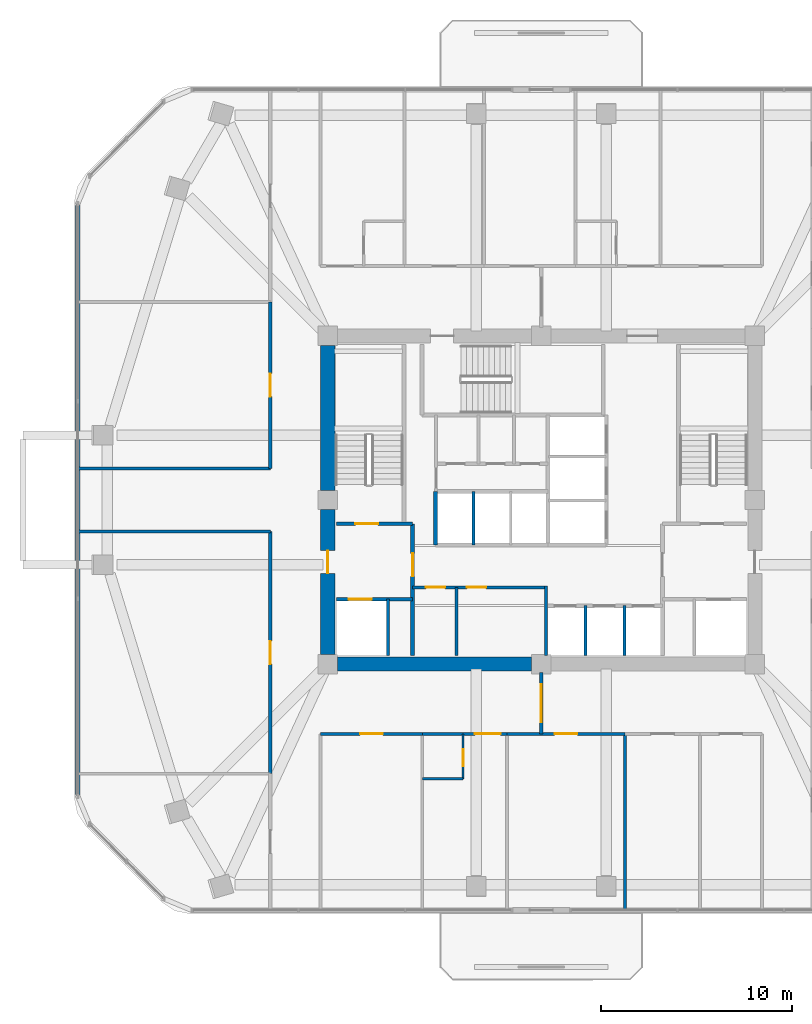
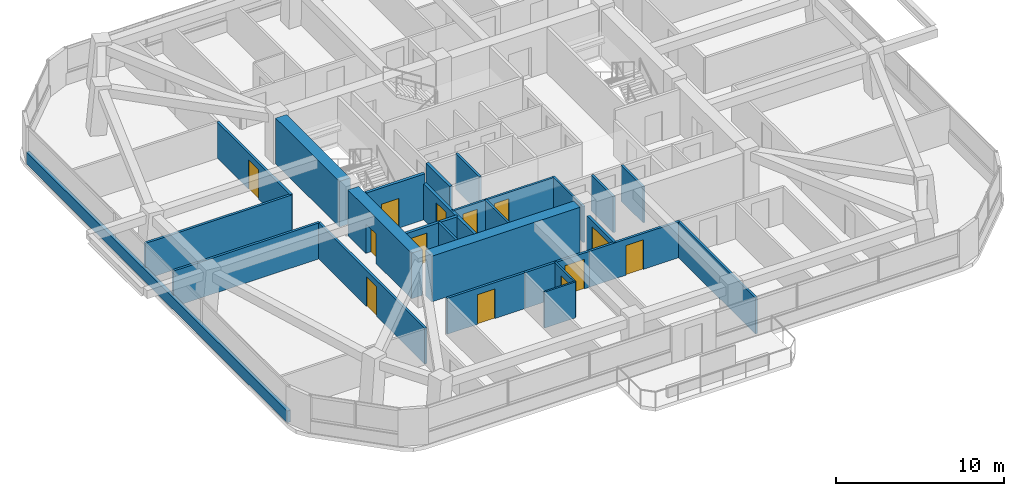
# One storey, part 8 of 13: 26 walls, 13 doors, 13 openings.
"""IFC4 building model written with IfcOpenShell, lengths in metres."""

from ifc_helpers import new_model, si_unit, derived_unit, direction, frame, frame_2d, origin, place, context, subcontext, project, spatial, rectangle, extrude, material, layer, layer_set, type_object, element, fill, save


model = new_model("IFC4")

# Units and contexts
model_context = context("Model", 3, precision=1e-05, world=origin(), true_north=direction((0.0, 1.0)))
body_context = subcontext(model_context, "Body", "Model", "MODEL_VIEW")
ifc_project = project(units=[si_unit("LENGTHUNIT", "METRE"), si_unit("AREAUNIT", "SQUARE_METRE"), si_unit("VOLUMEUNIT", "CUBIC_METRE"), si_unit("PLANEANGLEUNIT", "RADIAN"), si_unit("MASSUNIT", "GRAM", prefix="KILO"), derived_unit("THERMALTRANSMITTANCEUNIT", [(si_unit("POWERUNIT", "WATT"), 1), (si_unit("LENGTHUNIT", "METRE"), -2), (si_unit("THERMODYNAMICTEMPERATUREUNIT", "KELVIN"), -1)])], contexts=[model_context])

# Site, building, storey
site_placement = place(None, origin())
site = spatial("IfcSite", under=ifc_project, at=site_placement, CompositionType="ELEMENT")
building_placement = place(site_placement, origin())
building = spatial("IfcBuilding", under=site, at=building_placement, Name="Koralith Skygarden Medical Center", CompositionType="ELEMENT")
storey_placement = place(building_placement, frame((0.0, 0.0, 117.179931640625)))
storey = spatial("IfcBuildingStorey", under=building, at=storey_placement, Name="L30", CompositionType="ELEMENT", Elevation=117.179931640625)

# Wall, openings, doors
ifc_material_1 = material(Name="Gypsum Board Partition")
ifc_layer_1 = layer(ifc_material_1, 0.14990234375)
ifc_layer_set_1 = layer_set([ifc_layer_1], Name="Gypsum Board Partition")
wall_type_1 = type_object("IfcWallType", Name="Clinical Acoustic Partition 150", PredefinedType="PARTITIONING", material=ifc_layer_set_1)
wall_1_placement = place(storey_placement, frame((30.25, 21.320068359375, 0.0), z_axis=(0.0, 0.0, 1.0), x_axis=(1.0, 0.0, 0.0)))
wall_1 = element("IfcWall", 1, at=wall_1_placement, inside=storey, type_object=wall_type_1, Name="L30 Clinical Acoustic Partition 150 W-CORE-L30-FREED-LR-N", PredefinedType="PARTITIONING", context=body_context, shape_type="SweptSolid", body=[
    extrude(rectangle(XDim=7.0, YDim=0.14990234375, at=frame_2d((3.5, 0.0))), origin(), (0.0, 0.0, 1.0), 2.610107421875),
])
opening_1_placement = place(wall_1_placement, frame((0.699951171875, 0.0, 0.0)))
opening_1 = element("IfcOpeningElement", 2, at=opening_1_placement, cuts=wall_1, Name="Opening D-SUP", PredefinedType="OPENING", context=body_context, shape_type="SweptSolid", body=[
    extrude(rectangle(XDim=1.0, YDim=2.14990234375, at=frame_2d((0.5, 1.074951171875))), frame((0.0, 0.0849609375, 0.0), z_axis=(0.0, -1.0, 0.0), x_axis=(1.0, 0.0, 0.0)), (0.0, 0.0, 1.0), 0.169921875),
])
opening_2_placement = place(wall_1_placement, frame((2.85009765625, 0.0, 0.0)))
opening_2 = element("IfcOpeningElement", 3, at=opening_2_placement, cuts=wall_1, Name="Opening D-SUP", PredefinedType="OPENING", context=body_context, shape_type="SweptSolid", body=[
    extrude(rectangle(XDim=1.0, YDim=2.14990234375, at=frame_2d((0.5, 1.074951171875))), frame((0.0, 0.0849609375, 0.0), z_axis=(0.0, -1.0, 0.0), x_axis=(1.0, 0.0, 0.0)), (0.0, 0.0, 1.0), 0.169921875),
])
ifc_material_2 = material(Name="Aluminium 6063-T6", Category="aluminium")
door_type_1 = type_object("IfcDoorType", Name="Clinical Support Door D-SUP 1000", OperationType="NOTDEFINED", PredefinedType="DOOR", material=ifc_material_2)
door_1_placement = place(opening_1_placement, frame((1.0, 0.0, 0.0), z_axis=(0.0, 0.0, 1.0), x_axis=(-1.0, 0.0, 0.0)))
door_1 = element("IfcDoor", 4, at=door_1_placement, inside=storey, type_object=door_type_1, Name="L30 Medication Preparation Door", OperationType="SINGLE_SWING_LEFT", OverallHeight=2.14990234375, OverallWidth=1.0, PredefinedType="DOOR", context=body_context, shape_type="SweptSolid", body=[
    extrude(rectangle(XDim=1.0, YDim=2.14990234375, at=frame_2d((0.5, 1.074951171875))), frame((0.0, 0.02490234375, 0.0), z_axis=(0.0, -1.0, 0.0), x_axis=(1.0, 0.0, 0.0)), (0.0, 0.0, 1.0), 0.050048828125),
])
fill(opening_1, door_1)
door_2_placement = place(opening_2_placement, frame((1.0, 0.0, 0.0), z_axis=(0.0, 0.0, 1.0), x_axis=(-1.0, 0.0, 0.0)))
door_2 = element("IfcDoor", 5, at=door_2_placement, inside=storey, type_object=door_type_1, Name="L30 Telemetry Room Door", OperationType="SINGLE_SWING_RIGHT", OverallHeight=2.14990234375, OverallWidth=1.0, PredefinedType="DOOR", context=body_context, shape_type="SweptSolid", body=[
    extrude(rectangle(XDim=1.0, YDim=2.14990234375, at=frame_2d((0.5, 1.074951171875))), frame((0.0, 0.02490234375, 0.0), z_axis=(0.0, -1.0, 0.0), x_axis=(1.0, 0.0, 0.0)), (0.0, 0.0, 1.0), 0.050048828125),
])
fill(opening_2, door_2)

# Walls
wall_2_placement = place(storey_placement, frame((32.550048828125, 17.75, 0.0), z_axis=(0.0, 0.0, 1.0), x_axis=(0.0, 1.0, 0.0)))
element("IfcWall", 6, at=wall_2_placement, inside=storey, type_object=wall_type_1, Name="L30 Clinical Acoustic Partition 150 W-CORE-L30-FREED-LR-M", PredefinedType="PARTITIONING", context=body_context, shape_type="SweptSolid", body=[
    extrude(rectangle(XDim=3.570068359375, YDim=0.14990234375, at=frame_2d((1.78515625, 0.0))), origin(), (0.0, 0.0, 1.0), 2.610107421875),
])
wall_3_placement = place(storey_placement, frame((41.39306640625, 13.639892578125, 0.0), z_axis=(0.0, 0.0, 1.0), x_axis=(0.0, -1.0, 0.0)))
element("IfcWall", 7, at=wall_3_placement, inside=storey, type_object=wall_type_1, Name="L30 Clinical Acoustic Partition 150 W-PART-L30-S-03", PredefinedType="PARTITIONING", context=body_context, shape_type="SweptSolid", body=[
    extrude(rectangle(XDim=9.23193359375, YDim=0.14990234375, at=frame_2d((4.615966796875, 0.0))), origin(), (0.0, 0.0, 1.0), 2.610107421875),
])
ifc_layer_2 = layer(ifc_material_1, 0.1650390625)
ifc_layer_set_2 = layer_set([ifc_layer_2], Name="Gypsum Board Partition")
wall_type_2 = type_object("IfcWallType", Name="Clinical Corridor Partition 165", PredefinedType="PARTITIONING", material=ifc_layer_set_2)
for number, where, z_axis, x_axis, name in (
    (8, (12.718017578125, 24.239990234375, 0.0), (0.0, 0.0, 1.0), (1.0, 0.0, 0.0), "L30 Clinical Corridor Partition 165 W-HCOR-L30-EWS-W"),
    (9, (12.718017578125, 27.56005859375, 0.0), (0.0, 0.0, 1.0), (1.0, 0.0, 0.0), "L30 Clinical Corridor Partition 165 W-HCOR-L30-EWN-W"),
):
    element("IfcWall", number, at=place(storey_placement, frame(where, z_axis=z_axis, x_axis=x_axis)), inside=storey, type_object=wall_type_2, Name=name, PredefinedType="PARTITIONING", context=body_context, shape_type="SweptSolid", body=[
        extrude(rectangle(XDim=10.072021484375, YDim=0.1650390625, at=frame_2d((5.0361328125, 0.0))), origin(), (0.0, 0.0, 1.0), 2.610107421875),
    ])

# Wall, opening, door
wall_4_placement = place(storey_placement, frame((25.429931640625, 13.639892578125, 0.0), z_axis=(0.0, 0.0, 1.0), x_axis=(1.0, 0.0, 0.0)))
wall_4 = element("IfcWall", 10, at=wall_4_placement, inside=storey, type_object=wall_type_2, Name="L30 Clinical Corridor Partition 165 W-CORR-L30-S-01", PredefinedType="PARTITIONING", context=body_context, shape_type="SweptSolid", body=[
    extrude(rectangle(XDim=5.328125, YDim=0.1650390625, at=frame_2d((2.6640625, 0.0))), origin(), (0.0, 0.0, 1.0), 2.610107421875),
])
opening_3_placement = place(wall_4_placement, frame((2.06396484375, 0.0, 0.0)))
opening_3 = element("IfcOpeningElement", 11, at=opening_3_placement, cuts=wall_4, Name="Opening D-CLN", PredefinedType="OPENING", context=body_context, shape_type="SweptSolid", body=[
    extrude(rectangle(XDim=1.199951171875, YDim=2.14990234375, at=frame_2d((0.60009765625, 1.074951171875))), frame((0.0, 0.092529296875, 0.0), z_axis=(0.0, -1.0, 0.0), x_axis=(1.0, 0.0, 0.0)), (0.0, 0.0, 1.0), 0.18505859375),
])
door_type_2 = type_object("IfcDoorType", Name="Clinical Corridor Door D-CLN 1200", OperationType="NOTDEFINED", PredefinedType="DOOR", material=ifc_material_2)
door_3_placement = place(opening_3_placement, frame((1.199951171875, 0.0, 0.0), z_axis=(0.0, 0.0, 1.0), x_axis=(-1.0, 0.0, 0.0)))
door_3 = element("IfcDoor", 12, at=door_3_placement, inside=storey, type_object=door_type_2, Name="L30 Exercise Physiologist Office 06 Door", OperationType="SINGLE_SWING_LEFT", OverallHeight=2.14990234375, OverallWidth=1.199951171875, PredefinedType="DOOR", context=body_context, shape_type="SweptSolid", body=[
    extrude(rectangle(XDim=1.199951171875, YDim=2.14990234375, at=frame_2d((0.60009765625, 1.074951171875))), frame((0.0, 0.02490234375, 0.0), z_axis=(0.0, -1.0, 0.0), x_axis=(1.0, 0.0, 0.0)), (0.0, 0.0, 1.0), 0.050048828125),
])
fill(opening_3, door_3)

wall_5_placement = place(storey_placement, frame((30.758056640625, 13.639892578125, 0.0), z_axis=(0.0, 0.0, 1.0), x_axis=(1.0, 0.0, 0.0)))
wall_5 = element("IfcWall", 13, at=wall_5_placement, inside=storey, type_object=wall_type_2, Name="L30 Clinical Corridor Partition 165 W-CORR-L30-S-02", PredefinedType="PARTITIONING", context=body_context, shape_type="SweptSolid", body=[
    extrude(rectangle(XDim=4.44189453125, YDim=0.1650390625, at=frame_2d((2.220947265625, 0.0))), origin(), (0.0, 0.0, 1.0), 2.610107421875),
])
opening_4_placement = place(wall_5_placement, frame((2.751953125, 0.0, 0.0)))
opening_4 = element("IfcOpeningElement", 14, at=opening_4_placement, cuts=wall_5, Name="Opening D-BED", PredefinedType="OPENING", context=body_context, shape_type="SweptSolid", body=[
    extrude(rectangle(XDim=1.35009765625, YDim=2.14990234375, at=frame_2d((0.675048828125, 1.074951171875))), frame((0.0, 0.092529296875, 0.0), z_axis=(0.0, -1.0, 0.0), x_axis=(1.0, 0.0, 0.0)), (0.0, 0.0, 1.0), 0.18505859375),
])
door_type_3 = type_object("IfcDoorType", Name="Inpatient Bed Leaf Door D-BED 1350", OperationType="NOTDEFINED", PredefinedType="DOOR", material=ifc_material_2)
door_4_placement = place(opening_4_placement, frame((1.35009765625, 0.0, 0.0), z_axis=(0.0, 0.0, 1.0), x_axis=(-1.0, 0.0, 0.0)))
door_4 = element("IfcDoor", 15, at=door_4_placement, inside=storey, type_object=door_type_3, Name="L30 Inpatient Bedroom 07 Door", OperationType="SINGLE_SWING_RIGHT", OverallHeight=2.14990234375, OverallWidth=1.35009765625, PredefinedType="DOOR", context=body_context, shape_type="SweptSolid", body=[
    extrude(rectangle(XDim=1.35009765625, YDim=2.14990234375, at=frame_2d((0.675048828125, 1.074951171875))), frame((0.0, 0.02490234375, 0.0), z_axis=(0.0, -1.0, 0.0), x_axis=(1.0, 0.0, 0.0)), (0.0, 0.0, 1.0), 0.050048828125),
])
fill(opening_4, door_4)

wall_6_placement = place(storey_placement, frame((35.199951171875, 13.639892578125, 0.0), z_axis=(0.0, 0.0, 1.0), x_axis=(1.0, 0.0, 0.0)))
wall_6 = element("IfcWall", 16, at=wall_6_placement, inside=storey, type_object=wall_type_2, Name="L30 Clinical Corridor Partition 165 W-CORR-L30-S-03", PredefinedType="PARTITIONING", context=body_context, shape_type="SweptSolid", body=[
    extrude(rectangle(XDim=6.193115234375, YDim=0.1650390625, at=frame_2d((3.0966796875, 0.0))), origin(), (0.0, 0.0, 1.0), 2.610107421875),
])
opening_5_placement = place(wall_6_placement, frame((2.49609375, 0.0, 0.0)))
opening_5 = element("IfcOpeningElement", 17, at=opening_5_placement, cuts=wall_6, Name="Opening D-CLN", PredefinedType="OPENING", context=body_context, shape_type="SweptSolid", body=[
    extrude(rectangle(XDim=1.199951171875, YDim=2.14990234375, at=frame_2d((0.60009765625, 1.074951171875))), frame((0.0, 0.092529296875, 0.0), z_axis=(0.0, -1.0, 0.0), x_axis=(1.0, 0.0, 0.0)), (0.0, 0.0, 1.0), 0.18505859375),
])
door_5_placement = place(opening_5_placement, frame((1.199951171875, 0.0, 0.0), z_axis=(0.0, 0.0, 1.0), x_axis=(-1.0, 0.0, 0.0)))
door_5 = element("IfcDoor", 18, at=door_5_placement, inside=storey, type_object=door_type_2, Name="L30 Patient and Family Sky-Garden Day Lounge 08 Door", OperationType="SINGLE_SWING_LEFT", OverallHeight=2.14990234375, OverallWidth=1.199951171875, PredefinedType="DOOR", context=body_context, shape_type="SweptSolid", body=[
    extrude(rectangle(XDim=1.199951171875, YDim=2.14990234375, at=frame_2d((0.60009765625, 1.074951171875))), frame((0.0, 0.02490234375, 0.0), z_axis=(0.0, -1.0, 0.0), x_axis=(1.0, 0.0, 0.0)), (0.0, 0.0, 1.0), 0.050048828125),
])
fill(opening_5, door_5)

wall_7_placement = place(storey_placement, frame((22.7900390625, 11.548095703125, 0.0), z_axis=(0.0, 0.0, 1.0), x_axis=(0.0, 1.0, 0.0)))
wall_7 = element("IfcWall", 19, at=wall_7_placement, inside=storey, type_object=wall_type_2, Name="L30 Clinical Corridor Partition 165 W-CORR-L30-WS-02", PredefinedType="PARTITIONING", context=body_context, shape_type="SweptSolid", body=[
    extrude(rectangle(XDim=12.69189453125, YDim=0.1650390625, at=frame_2d((6.345947265625, 0.0))), origin(), (0.0, 0.0, 1.0), 2.610107421875),
])
opening_6_placement = place(wall_7_placement, frame((5.74609375, 0.0, 0.0)))
opening_6 = element("IfcOpeningElement", 20, at=opening_6_placement, cuts=wall_7, Name="Opening D-CLN", PredefinedType="OPENING", context=body_context, shape_type="SweptSolid", body=[
    extrude(rectangle(XDim=1.199951171875, YDim=2.14990234375, at=frame_2d((0.60009765625, 1.074951171875))), frame((0.0, 0.092529296875, 0.0), z_axis=(0.0, -1.0, 0.0), x_axis=(1.0, 0.0, 0.0)), (0.0, 0.0, 1.0), 0.18505859375),
])
door_6_placement = place(opening_6_placement, frame((1.199951171875, 0.0, 0.0), z_axis=(0.0, 0.0, 1.0), x_axis=(-1.0, 0.0, 0.0)))
door_6 = element("IfcDoor", 21, at=door_6_placement, inside=storey, type_object=door_type_2, Name="L30 Exercise Physiologist Office 12 Door", OperationType="SINGLE_SWING_LEFT", OverallHeight=2.14990234375, OverallWidth=1.199951171875, PredefinedType="DOOR", context=body_context, shape_type="SweptSolid", body=[
    extrude(rectangle(XDim=1.199951171875, YDim=2.14990234375, at=frame_2d((0.60009765625, 1.074951171875))), frame((0.0, 0.02490234375, 0.0), z_axis=(0.0, -1.0, 0.0), x_axis=(1.0, 0.0, 0.0)), (0.0, 0.0, 1.0), 0.050048828125),
])
fill(opening_6, door_6)

wall_8_placement = place(storey_placement, frame((22.7900390625, 27.56005859375, 0.0), z_axis=(0.0, 0.0, 1.0), x_axis=(0.0, 1.0, 0.0)))
wall_8 = element("IfcWall", 22, at=wall_8_placement, inside=storey, type_object=wall_type_2, Name="L30 Clinical Corridor Partition 165 W-CORR-L30-WN-01", PredefinedType="PARTITIONING", context=body_context, shape_type="SweptSolid", body=[
    extrude(rectangle(XDim=8.725830078125, YDim=0.1650390625, at=frame_2d((4.36279296875, 0.0))), origin(), (0.0, 0.0, 1.0), 2.610107421875),
])
opening_7_placement = place(wall_8_placement, frame((3.762939453125, 0.0, 0.0)))
opening_7 = element("IfcOpeningElement", 23, at=opening_7_placement, cuts=wall_8, Name="Opening D-CLN", PredefinedType="OPENING", context=body_context, shape_type="SweptSolid", body=[
    extrude(rectangle(XDim=1.199951171875, YDim=2.14990234375, at=frame_2d((0.60009765625, 1.074951171875))), frame((0.0, 0.092529296875, 0.0), z_axis=(0.0, -1.0, 0.0), x_axis=(1.0, 0.0, 0.0)), (0.0, 0.0, 1.0), 0.18505859375),
])
door_7_placement = place(opening_7_placement, frame((1.199951171875, 0.0, 0.0), z_axis=(0.0, 0.0, 1.0), x_axis=(-1.0, 0.0, 0.0)))
door_7 = element("IfcDoor", 24, at=door_7_placement, inside=storey, type_object=door_type_2, Name="L30 Clinical Consultation Office 13 Door", OperationType="SINGLE_SWING_RIGHT", OverallHeight=2.14990234375, OverallWidth=1.199951171875, PredefinedType="DOOR", context=body_context, shape_type="SweptSolid", body=[
    extrude(rectangle(XDim=1.199951171875, YDim=2.14990234375, at=frame_2d((0.60009765625, 1.074951171875))), frame((0.0, 0.02490234375, 0.0), z_axis=(0.0, -1.0, 0.0), x_axis=(1.0, 0.0, 0.0)), (0.0, 0.0, 1.0), 0.050048828125),
])
fill(opening_7, door_7)

ifc_layer_3 = layer(ifc_material_1, 0.199951171875)
ifc_layer_set_3 = layer_set([ifc_layer_3], Name="Gypsum Board Partition")
wall_type_3 = type_object("IfcWallType", Name="Fire Shaft Wall 200", PredefinedType="SOLIDWALL", material=ifc_layer_set_3)
wall_9_placement = place(storey_placement, frame((26.25, 20.699951171875, 0.0), z_axis=(0.0, 0.0, 1.0), x_axis=(1.0, 0.0, 0.0)))
wall_9 = element("IfcWall", 25, at=wall_9_placement, inside=storey, type_object=wall_type_3, Name="L30 Fire Shaft Wall 200 W-CORE-L30-FF1-N", PredefinedType="SOLIDWALL", context=body_context, shape_type="SweptSolid", body=[
    extrude(rectangle(XDim=4.0, YDim=0.199951171875, at=frame_2d((2.0, 0.0))), origin(), (0.0, 0.0, 1.0), 2.610107421875),
])
opening_8_placement = place(wall_9_placement, frame((0.64990234375, 0.0, 0.0)))
opening_8 = element("IfcOpeningElement", 26, at=opening_8_placement, cuts=wall_9, Name="Opening LD-FF", PredefinedType="OPENING", context=body_context, shape_type="SweptSolid", body=[
    extrude(rectangle(XDim=1.199951171875, YDim=2.14990234375, at=frame_2d((0.60009765625, 1.074951171875))), frame((0.0, 0.10986328125, 0.0), z_axis=(0.0, -1.0, 0.0), x_axis=(1.0, 0.0, 0.0)), (0.0, 0.0, 1.0), 0.219970703125),
])
ifc_material_3 = material(Name="Steel ASTM A500 Grade C", Category="steel")
door_type_4 = type_object("IfcDoorType", Name="Fire Lift Sliding Landing Door LD-FF 1200", OperationType="NOTDEFINED", PredefinedType="DOOR", material=ifc_material_3)
door_8_placement = place(opening_8_placement, origin())
door_8 = element("IfcDoor", 27, at=door_8_placement, inside=storey, type_object=door_type_4, Name="L30 Fire Service Elevator FF1 Landing Door", OperationType="SLIDING_TO_LEFT", OverallHeight=2.14990234375, OverallWidth=1.199951171875, PredefinedType="DOOR", context=body_context, shape_type="SweptSolid", body=[
    extrude(rectangle(XDim=1.199951171875, YDim=2.14990234375, at=frame_2d((0.60009765625, 1.074951171875))), frame((0.0, 0.02490234375, 0.0), z_axis=(0.0, -1.0, 0.0), x_axis=(1.0, 0.0, 0.0)), (0.0, 0.0, 1.0), 0.050048828125),
])
fill(opening_8, door_8)

wall_10_placement = place(storey_placement, frame((30.25, 17.75, 0.0), z_axis=(0.0, 0.0, 1.0), x_axis=(0.0, 1.0, 0.0)))
wall_10 = element("IfcWall", 28, at=wall_10_placement, inside=storey, type_object=wall_type_3, Name="L30 Fire Shaft Wall 200 W-CORE-L30-FSAEW-E", PredefinedType="SOLIDWALL", context=body_context, shape_type="SweptSolid", body=[
    extrude(rectangle(XDim=6.89990234375, YDim=0.199951171875, at=frame_2d((3.449951171875, 0.0))), origin(), (0.0, 0.0, 1.0), 2.610107421875),
])
opening_9_placement = place(wall_10_placement, frame((4.14990234375, 0.0, 0.0)))
opening_9 = element("IfcOpeningElement", 29, at=opening_9_placement, cuts=wall_10, Name="Opening D-ST60", PredefinedType="OPENING", context=body_context, shape_type="SweptSolid", body=[
    extrude(rectangle(XDim=1.199951171875, YDim=2.14990234375, at=frame_2d((0.60009765625, 1.074951171875))), frame((0.0, 0.10986328125, 0.0), z_axis=(0.0, -1.0, 0.0), x_axis=(1.0, 0.0, 0.0)), (0.0, 0.0, 1.0), 0.219970703125),
])
door_type_5 = type_object("IfcDoorType", Name="Smokeproof Stair Fire Door FD60S 1200", OperationType="NOTDEFINED", PredefinedType="DOOR", material=ifc_material_3)
door_9_placement = place(opening_9_placement, origin())
door_9 = element("IfcDoor", 30, at=door_9_placement, inside=storey, type_object=door_type_5, Name="L30 West Firefighting Lobby Inner Fire Door", OperationType="SINGLE_SWING_LEFT", OverallHeight=2.14990234375, OverallWidth=1.199951171875, PredefinedType="DOOR", context=body_context, shape_type="SweptSolid", body=[
    extrude(rectangle(XDim=1.199951171875, YDim=2.14990234375, at=frame_2d((0.60009765625, 1.074951171875))), frame((0.0, 0.02490234375, 0.0), z_axis=(0.0, -1.0, 0.0), x_axis=(1.0, 0.0, 0.0)), (0.0, 0.0, 1.0), 0.050048828125),
])
fill(opening_9, door_9)

# Wall
wall_11_placement = place(storey_placement, frame((31.449951171875, 23.5400390625, 0.0), z_axis=(0.0, 0.0, 1.0), x_axis=(0.0, 1.0, 0.0)))
element("IfcWall", 31, at=wall_11_placement, inside=storey, type_object=wall_type_3, Name="L30 Fire Shaft Wall 200 W-CORE-L30-PH-W", PredefinedType="SOLIDWALL", context=body_context, shape_type="SweptSolid", body=[
    extrude(rectangle(XDim=2.81005859375, YDim=0.199951171875, at=frame_2d((1.405029296875, 0.0))), origin(), (0.0, 0.0, 1.0), 2.610107421875),
])

# Wall, opening, door
ifc_layer_4 = layer(ifc_material_1, 0.179931640625)
ifc_layer_set_4 = layer_set([ifc_layer_4], Name="Gypsum Board Partition")
wall_type_4 = type_object("IfcWallType", Name="Group I-2 Smoke Barrier Wall 180", PredefinedType="PARTITIONING", material=ifc_layer_set_4)
wall_12_placement = place(storey_placement, frame((37.0, 13.639892578125, 0.0), z_axis=(0.0, 0.0, 1.0), x_axis=(0.0, 1.0, 0.0)))
wall_12 = element("IfcWall", 32, at=wall_12_placement, inside=storey, type_object=wall_type_4, Name="L30 Group I-2 Smoke Barrier Wall 180 W-SMK-L30-S", PredefinedType="PARTITIONING", context=body_context, shape_type="SweptSolid", body=[
    extrude(rectangle(XDim=3.210205078125, YDim=0.179931640625, at=frame_2d((1.60498046875, 0.0))), origin(), (0.0, 0.0, 1.0), 2.610107421875),
])
opening_10_placement = place(wall_12_placement, frame((0.60498046875, 0.0, 0.0)))
opening_10 = element("IfcOpeningElement", 33, at=opening_10_placement, cuts=wall_12, Name="Opening D-SMK", PredefinedType="OPENING", context=body_context, shape_type="SweptSolid", body=[
    extrude(rectangle(XDim=2.0, YDim=2.199951171875, at=frame_2d((1.0, 1.10009765625))), frame((0.0, 0.099853515625, 0.0), z_axis=(0.0, -1.0, 0.0), x_axis=(1.0, 0.0, 0.0)), (0.0, 0.0, 1.0), 0.199951171875),
])
door_type_6 = type_object("IfcDoorType", Name="Cross-Corridor Double Smoke Door FD60S 2000", OperationType="NOTDEFINED", PredefinedType="DOOR", material=ifc_material_3)
door_10_placement = place(opening_10_placement, frame((2.0, 0.0, 0.0), z_axis=(0.0, 0.0, 1.0), x_axis=(-1.0, 0.0, 0.0)))
door_10 = element("IfcDoor", 34, at=door_10_placement, inside=storey, type_object=door_type_6, Name="L30 S Smoke Compartment Cross-Corridor Door", OperationType="DOUBLE_DOOR_SINGLE_SWING", OverallHeight=2.199951171875, OverallWidth=2.0, PredefinedType="DOOR", context=body_context, shape_type="SweptSolid", body=[
    extrude(rectangle(XDim=2.0, YDim=2.199951171875, at=frame_2d((1.0, 1.10009765625))), frame((0.0, 0.02490234375, 0.0), z_axis=(0.0, -1.0, 0.0), x_axis=(1.0, 0.0, 0.0)), (0.0, 0.0, 1.0), 0.050048828125),
])
fill(opening_10, door_10)

# Walls
ifc_material_4 = material(Name="Warm Oolitic Limestone Cladding", Category="masonry")
ifc_layer_5 = layer(ifc_material_4, 0.239990234375)
ifc_layer_set_5 = layer_set([ifc_layer_5], Name="Warm Oolitic Limestone Cladding")
wall_type_5 = type_object("IfcWallType", Name="Limestone Spandrel Sill Backup Wall 240", PredefinedType="SOLIDWALL", material=ifc_layer_set_5)
wall_13_placement = place(storey_placement, frame((12.697998046875, 41.43701171875, 0.0), z_axis=(0.0, 0.0, 1.0), x_axis=(0.0, -1.0, 0.0)))
element("IfcWall", 35, at=wall_13_placement, inside=storey, type_object=wall_type_5, Name="L30 Sill Spandrel W", PredefinedType="SOLIDWALL", context=body_context, shape_type="SweptSolid", body=[
    extrude(rectangle(XDim=31.073974609375, YDim=0.239990234375, at=frame_2d((15.537109375, 0.0))), origin(), (0.0, 0.0, 1.0), 0.85009765625),
])
ifc_material_5 = material(Name="Concrete C70/85", Category="concrete")
ifc_layer_6 = layer(ifc_material_5, 0.75)
ifc_layer_set_6 = layer_set([ifc_layer_6], Name="Concrete C70/85")
wall_type_6 = type_object("IfcWallType", Name="Mid Core Shear Wall 750", PredefinedType="SHEAR", material=ifc_layer_set_6)
wall_14_placement = place(storey_placement, frame((26.304931640625, 17.300048828125, 0.0), z_axis=(0.0, 0.0, 1.0), x_axis=(1.0, 0.0, 0.0)))
element("IfcWall", 36, at=wall_14_placement, inside=storey, type_object=wall_type_6, Name="L30 Core Shear Wall Segment 1", PredefinedType="SHEAR", context=body_context, shape_type="SweptSolid", body=[
    extrude(rectangle(XDim=10.190185546875, YDim=0.75, at=frame_2d((5.09521484375, 0.0))), origin(), (0.0, 0.0, 1.0), 3.320068359375),
])
wall_15_placement = place(storey_placement, frame((25.800048828125, 33.9951171875, 0.0), z_axis=(0.0, 0.0, 1.0), x_axis=(0.0, -1.0, 0.0)))
element("IfcWall", 37, at=wall_15_placement, inside=storey, type_object=wall_type_6, Name="L30 Core Shear Wall Segment 7", PredefinedType="SHEAR", context=body_context, shape_type="SweptSolid", body=[
    extrude(rectangle(XDim=7.590087890625, YDim=0.75, at=frame_2d((3.794921875, 0.0))), origin(), (0.0, 0.0, 1.0), 3.320068359375),
])

# Wall, opening, door
wall_16_placement = place(storey_placement, frame((25.800048828125, 25.39501953125, 0.0), z_axis=(0.0, 0.0, 1.0), x_axis=(0.0, -1.0, 0.0)))
wall_16 = element("IfcWall", 38, at=wall_16_placement, inside=storey, type_object=wall_type_6, Name="L30 Core Shear Wall Segment 8", PredefinedType="SHEAR", context=body_context, shape_type="SweptSolid", body=[
    extrude(rectangle(XDim=7.590087890625, YDim=0.75, at=frame_2d((3.794921875, 0.0))), origin(), (0.0, 0.0, 1.0), 3.320068359375),
])
opening_11_placement = place(wall_16_placement, frame((2.14501953125, 0.0, 0.0)))
opening_11 = element("IfcOpeningElement", 39, at=opening_11_placement, cuts=wall_16, Name="Opening D-ST60", PredefinedType="OPENING", context=body_context, shape_type="SweptSolid", body=[
    extrude(rectangle(XDim=1.199951171875, YDim=2.14990234375, at=frame_2d((0.60009765625, 1.074951171875))), frame((0.0, 0.385009765625, 0.0), z_axis=(0.0, -1.0, 0.0), x_axis=(1.0, 0.0, 0.0)), (0.0, 0.0, 1.0), 0.77001953125),
])
door_11_placement = place(opening_11_placement, frame((1.199951171875, 0.0, 0.0), z_axis=(0.0, 0.0, 1.0), x_axis=(-1.0, 0.0, 0.0)))
door_11 = element("IfcDoor", 40, at=door_11_placement, inside=storey, type_object=door_type_5, Name="L30 West Corridor to Firefighting Lobby Door", OperationType="SINGLE_SWING_LEFT", OverallHeight=2.14990234375, OverallWidth=1.199951171875, PredefinedType="DOOR", context=body_context, shape_type="SweptSolid", body=[
    extrude(rectangle(XDim=1.199951171875, YDim=2.14990234375, at=frame_2d((0.60009765625, 1.074951171875))), frame((0.0, 0.02490234375, 0.0), z_axis=(0.0, -1.0, 0.0), x_axis=(1.0, 0.0, 0.0)), (0.0, 0.0, 1.0), 0.050048828125),
])
fill(opening_11, door_11)

ifc_layer_7 = layer(ifc_material_1, 0.1201171875)
ifc_layer_set_7 = layer_set([ifc_layer_7], Name="Gypsum Board Partition")
wall_type_7 = type_object("IfcWallType", Name="Plumbing Wet Wall 120", PredefinedType="PLUMBINGWALL", material=ifc_layer_set_7)
wall_17_placement = place(storey_placement, frame((32.89794921875, 11.280029296875, 0.0), z_axis=(0.0, 0.0, 1.0), x_axis=(0.0, 1.0, 0.0)))
wall_17 = element("IfcWall", 41, at=wall_17_placement, inside=storey, type_object=wall_type_7, Name="L30 Plumbing Wet Wall 120 W-ENS-L30-07A", PredefinedType="PLUMBINGWALL", context=body_context, shape_type="SweptSolid", body=[
    extrude(rectangle(XDim=2.35986328125, YDim=0.1201171875, at=frame_2d((1.179931640625, 0.0))), origin(), (0.0, 0.0, 1.0), 2.610107421875),
])
opening_12_placement = place(wall_17_placement, frame((0.64990234375, 0.0, 0.0)))
opening_12 = element("IfcOpeningElement", 42, at=opening_12_placement, cuts=wall_17, Name="Opening D-ENS", PredefinedType="OPENING", context=body_context, shape_type="SweptSolid", body=[
    extrude(rectangle(XDim=0.89990234375, YDim=2.10009765625, at=frame_2d((0.449951171875, 1.050048828125))), frame((0.0, 0.070068359375, 0.0), z_axis=(0.0, -1.0, 0.0), x_axis=(1.0, 0.0, 0.0)), (0.0, 0.0, 1.0), 0.14013671875),
])
door_type_7 = type_object("IfcDoorType", Name="En-Suite Bathroom Door D-ENS 900", OperationType="NOTDEFINED", PredefinedType="DOOR", material=ifc_material_2)
door_12_placement = place(opening_12_placement, frame((0.89990234375, 0.0, 0.0), z_axis=(0.0, 0.0, 1.0), x_axis=(-1.0, 0.0, 0.0)))
door_12 = element("IfcDoor", 43, at=door_12_placement, inside=storey, type_object=door_type_7, Name="L30 En-Suite 07 Door", OperationType="SINGLE_SWING_RIGHT", OverallHeight=2.10009765625, OverallWidth=0.89990234375, PredefinedType="DOOR", context=body_context, shape_type="SweptSolid", body=[
    extrude(rectangle(XDim=0.89990234375, YDim=2.10009765625, at=frame_2d((0.449951171875, 1.050048828125))), frame((0.0, 0.02490234375, 0.0), z_axis=(0.0, -1.0, 0.0), x_axis=(1.0, 0.0, 0.0)), (0.0, 0.0, 1.0), 0.050048828125),
])
fill(opening_12, door_12)

# Walls
wall_18_placement = place(storey_placement, frame((30.758056640625, 11.280029296875, 0.0), z_axis=(0.0, 0.0, 1.0), x_axis=(1.0, 0.0, 0.0)))
element("IfcWall", 44, at=wall_18_placement, inside=storey, type_object=wall_type_7, Name="L30 Plumbing Wet Wall 120 W-ENS-L30-07B", PredefinedType="PLUMBINGWALL", context=body_context, shape_type="SweptSolid", body=[
    extrude(rectangle(XDim=2.139892578125, YDim=0.1201171875, at=frame_2d((1.06982421875, 0.0))), origin(), (0.0, 0.0, 1.0), 2.610107421875),
])
ifc_layer_8 = layer(ifc_material_1, 0.14990234375)
ifc_layer_set_8 = layer_set([ifc_layer_8], Name="Gypsum Board Partition")
wall_type_8 = type_object("IfcWallType", Name="Shaft Partition Wall 150", PredefinedType="PARTITIONING", material=ifc_layer_set_8)
wall_19_placement = place(storey_placement, frame((28.969970703125, 17.75, 0.0), z_axis=(0.0, 0.0, 1.0), x_axis=(0.0, 1.0, 0.0)))
element("IfcWall", 45, at=wall_19_placement, inside=storey, type_object=wall_type_8, Name="L30 Shaft Partition Wall 150 W-CORE-L30-RSRW-DIV", PredefinedType="PARTITIONING", context=body_context, shape_type="SweptSolid", body=[
    extrude(rectangle(XDim=2.949951171875, YDim=0.14990234375, at=frame_2d((1.47509765625, 0.0))), origin(), (0.0, 0.0, 1.0), 2.610107421875),
])
for number, where, z_axis, x_axis, name in (
    (46, (39.320068359375, 17.75, 0.0), (0.0, 0.0, 1.0), (0.0, 1.0, 0.0), "L30 Shaft Partition Wall 150 W-CORE-L30-PM-D1"),
    (47, (41.3701171875, 17.75, 0.0), (0.0, 0.0, 1.0), (0.0, 1.0, 0.0), "L30 Shaft Partition Wall 150 W-CORE-L30-PM-D2"),
):
    element("IfcWall", number, at=place(storey_placement, frame(where, z_axis=z_axis, x_axis=x_axis)), inside=storey, type_object=wall_type_8, Name=name, PredefinedType="PARTITIONING", context=body_context, shape_type="SweptSolid", body=[
        extrude(rectangle(XDim=2.610107421875, YDim=0.14990234375, at=frame_2d((1.30517578125, 0.0))), origin(), (0.0, 0.0, 1.0), 2.610107421875),
    ])
wall_20_placement = place(storey_placement, frame((37.25, 17.75, 0.0), z_axis=(0.0, 0.0, 1.0), x_axis=(0.0, 1.0, 0.0)))
element("IfcWall", 48, at=wall_20_placement, inside=storey, type_object=wall_type_8, Name="L30 Shaft Partition Wall 150 W-CORE-L30-PL-PM-SEP", PredefinedType="PARTITIONING", context=body_context, shape_type="SweptSolid", body=[
    extrude(rectangle(XDim=3.64990234375, YDim=0.14990234375, at=frame_2d((1.824951171875, 0.0))), origin(), (0.0, 0.0, 1.0), 2.610107421875),
])
wall_21_placement = place(storey_placement, frame((33.449951171875, 23.5400390625, 0.0), z_axis=(0.0, 0.0, 1.0), x_axis=(0.0, 1.0, 0.0)))
element("IfcWall", 49, at=wall_21_placement, inside=storey, type_object=wall_type_8, Name="L30 Shaft Partition Wall 150 W-CORE-L30-PH-D1", PredefinedType="PARTITIONING", context=body_context, shape_type="SweptSolid", body=[
    extrude(rectangle(XDim=2.81005859375, YDim=0.14990234375, at=frame_2d((1.405029296875, 0.0))), origin(), (0.0, 0.0, 1.0), 2.610107421875),
])

# Wall, opening, door
ifc_material_6 = material(Name="Concrete C45/55", Category="concrete")
ifc_layer_9 = layer(ifc_material_6, 0.199951171875)
ifc_layer_set_9 = layer_set([ifc_layer_9], Name="Concrete C45/55")
wall_type_9 = type_object("IfcWallType", Name="Structural Stair Shaft Wall 200", PredefinedType="SHEAR", material=ifc_layer_set_9)
wall_22_placement = place(storey_placement, frame((26.25, 24.64990234375, 0.0), z_axis=(0.0, 0.0, 1.0), x_axis=(1.0, 0.0, 0.0)))
wall_22 = element("IfcWall", 50, at=wall_22_placement, inside=storey, type_object=wall_type_9, Name="L30 Structural Stair Shaft Wall 200 W-CORE-L30-ST1-S", PredefinedType="SHEAR", context=body_context, shape_type="SweptSolid", body=[
    extrude(rectangle(XDim=4.0, YDim=0.199951171875, at=frame_2d((2.0, 0.0))), origin(), (0.0, 0.0, 1.0), 3.320068359375),
])
opening_13_placement = place(wall_22_placement, frame((1.0, 0.0, 0.0)))
opening_13 = element("IfcOpeningElement", 51, at=opening_13_placement, cuts=wall_22, Name="Opening D-ST60", PredefinedType="OPENING", context=body_context, shape_type="SweptSolid", body=[
    extrude(rectangle(XDim=1.199951171875, YDim=2.14990234375, at=frame_2d((0.60009765625, 1.074951171875))), frame((0.0, 0.10986328125, 0.0), z_axis=(0.0, -1.0, 0.0), x_axis=(1.0, 0.0, 0.0)), (0.0, 0.0, 1.0), 0.219970703125),
])
door_13_placement = place(opening_13_placement, origin())
door_13 = element("IfcDoor", 52, at=door_13_placement, inside=storey, type_object=door_type_5, Name="L30 Exit Stair ST1 Fire Door", OperationType="SINGLE_SWING_LEFT", OverallHeight=2.14990234375, OverallWidth=1.199951171875, PredefinedType="DOOR", context=body_context, shape_type="SweptSolid", body=[
    extrude(rectangle(XDim=1.199951171875, YDim=2.14990234375, at=frame_2d((0.60009765625, 1.074951171875))), frame((0.0, 0.02490234375, 0.0), z_axis=(0.0, -1.0, 0.0), x_axis=(1.0, 0.0, 0.0)), (0.0, 0.0, 1.0), 0.050048828125),
])
fill(opening_13, door_13)

save(model, "model.ifc")
